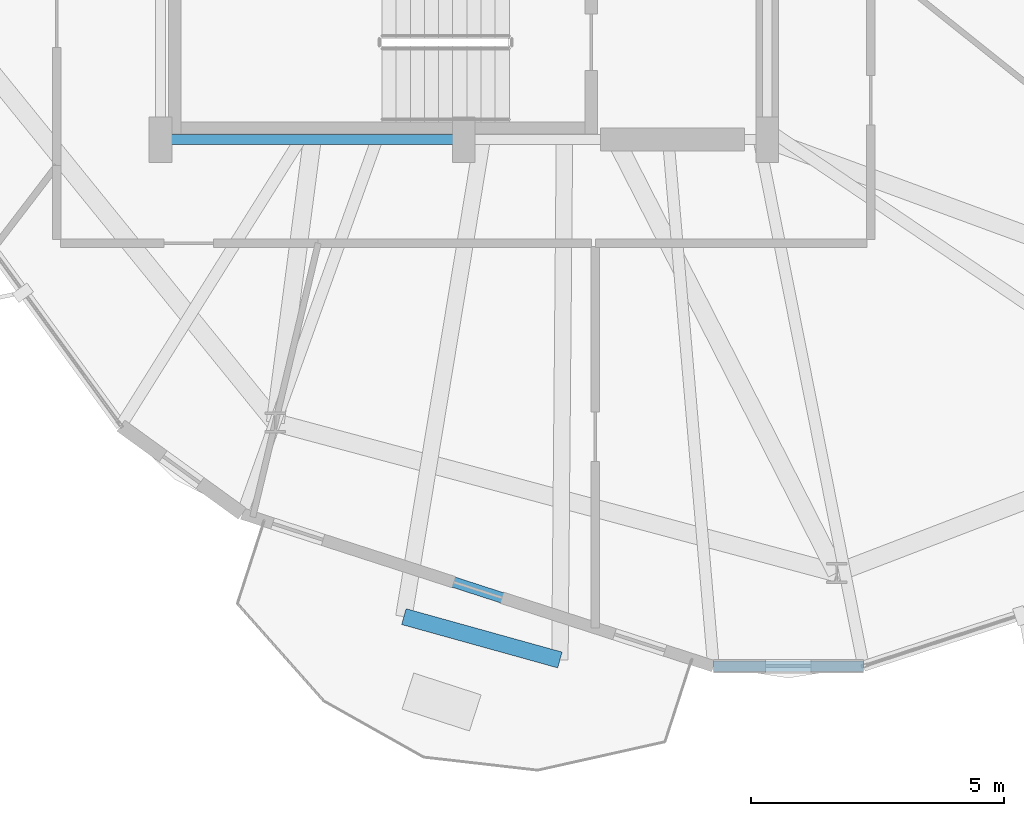
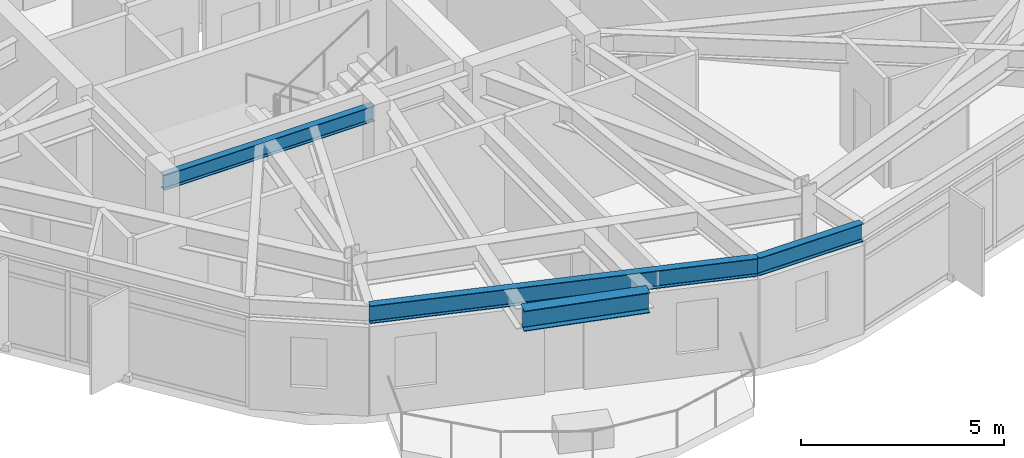
# One storey, part 4 of 31: 4 beams.
"""IFC4 building model written with IfcOpenShell, lengths in metres."""

from ifc_helpers import new_model, si_unit, direction, frame, origin, origin_2d, place, context, subcontext, project, spatial, i_section, extrude, material, material_profile, profile_set, type_object, element, save


model = new_model("IFC4")

# Units and contexts
model_context = context("Model", 3, precision=1e-05, world=origin(), true_north=direction((0.0, 1.0)))
body_context = subcontext(model_context, "Body", "Model", "MODEL_VIEW")
ifc_project = project(units=[si_unit("LENGTHUNIT", "METRE"), si_unit("AREAUNIT", "SQUARE_METRE"), si_unit("VOLUMEUNIT", "CUBIC_METRE"), si_unit("PLANEANGLEUNIT", "RADIAN"), si_unit("MASSUNIT", "GRAM", prefix="KILO")], contexts=[model_context])

# Site, building, storey
site_placement = place(None, origin())
site = spatial("IfcSite", under=ifc_project, at=site_placement, CompositionType="ELEMENT")
building_placement = place(site_placement, origin())
building = spatial("IfcBuilding", under=site, at=building_placement, Name="Soratama Intermodal Tower", CompositionType="ELEMENT")
storey_placement = place(building_placement, frame((0.0, 0.0, 230.199951171875)))
storey = spatial("IfcBuildingStorey", under=building, at=storey_placement, Name="L58", CompositionType="ELEMENT", Elevation=230.199951171875)

# Beams
ifc_material_1 = material(Name="Structural steel ASTM A992 Grade 50", Category="steel")
ifc_material_profile_1 = material_profile(ifc_material_1, i_section(OverallWidth=0.324951171875, OverallDepth=0.615966796875, WebThickness=0.013916015625, FlangeThickness=0.021484375, FilletRadius=0.013916015625, at=origin_2d()), Name="W24X117")
ifc_profile_set_1 = profile_set([ifc_material_profile_1], Name="Structural steel ASTM A992 Grade 50")
beam_type_1 = type_object("IfcBeamType", Name="BM-CANT-W24X117", PredefinedType="BEAM", material=ifc_profile_set_1)
beam_1_placement = place(storey_placement, frame((37.4130859375, 5.56201171875, 2.991943359375), z_axis=(0.963482966956, -0.267769625584, 0.0), x_axis=(0.267769625584, 0.963482966956, 0.0)))
element("IfcBeam", 1, at=beam_1_placement, inside=storey, type_object=beam_type_1, Name="BM-L58-CBHDR-3", PredefinedType="BEAM", context=body_context, shape_type="SweptSolid", body=[
    extrude(i_section(OverallWidth=0.324951171875, OverallDepth=0.615966796875, WebThickness=0.013916015625, FlangeThickness=0.021484375, FilletRadius=0.013916015625, at=origin_2d()), origin(), (0.0, 0.0, 1.0), 3.203857421875),
])
ifc_material_2 = material(Name="Structural steel ASTM A992 Grade 50", Category="steel")
ifc_material_profile_2 = material_profile(ifc_material_2, i_section(OverallWidth=0.19091796875, OverallDepth=0.4599609375, WebThickness=0.010009765625, FlangeThickness=0.01611328125, FilletRadius=0.010986328125, at=origin_2d()), Name="W18X55")
ifc_profile_set_2 = profile_set([ifc_material_profile_2], Name="Structural steel ASTM A992 Grade 50")
beam_type_2 = type_object("IfcBeamType", Name="BM-FLR-W18X55", PredefinedType="BEAM", material=ifc_profile_set_2)
beam_2_placement = place(storey_placement, frame((32.60009765625, 15.0, 3.070068359375), z_axis=(1.0, 0.0, 0.0), x_axis=(0.0, 1.0, 0.0)))
element("IfcBeam", 2, at=beam_2_placement, inside=storey, type_object=beam_type_2, Name="BM-L58-CRING-01", PredefinedType="BEAM", context=body_context, shape_type="SweptSolid", body=[
    extrude(i_section(OverallWidth=0.19091796875, OverallDepth=0.4599609375, WebThickness=0.010009765625, FlangeThickness=0.01611328125, FilletRadius=0.010986328125, at=origin_2d()), origin(), (0.0, 0.0, 1.0), 6.0),
])
ifc_material_3 = material(Name="Structural steel ASTM A992 Grade 50", Category="steel")
ifc_material_profile_3 = material_profile(ifc_material_3, i_section(OverallWidth=0.2099609375, OverallDepth=0.537109375, WebThickness=0.010986328125, FlangeThickness=0.017333984375, FilletRadius=0.012939453125, at=origin_2d()), Name="W21X68")
ifc_profile_set_3 = profile_set([ifc_material_profile_3], Name="Structural steel ASTM A992 Grade 50")
beam_type_3 = type_object("IfcBeamType", Name="BM-SPN-W21X68", PredefinedType="SPANDREL", material=ifc_profile_set_3)
beam_3_placement = place(storey_placement, frame((34.217041015625, 7.597900390625, 3.031494140625), z_axis=(0.951379028798, -0.308022634825, 0.0), x_axis=(0.308022634825, 0.951379028798, 0.0)))
element("IfcBeam", 3, at=beam_3_placement, inside=storey, type_object=beam_type_3, Name="BS-L58-F06", PredefinedType="SPANDREL", context=body_context, shape_type="SweptSolid", body=[
    extrude(i_section(OverallWidth=0.2099609375, OverallDepth=0.537109375, WebThickness=0.010986328125, FlangeThickness=0.017333984375, FilletRadius=0.012939453125, at=origin_2d()), origin(), (0.0, 0.0, 1.0), 9.79736328125),
])
beam_4_placement = place(storey_placement, frame((43.5380859375, 4.580078125, 3.031494140625), z_axis=(0.99999951243, 0.000987491289, 0.0), x_axis=(-0.000987491289, 0.99999951243, 0.0)))
element("IfcBeam", 4, at=beam_4_placement, inside=storey, type_object=beam_type_3, Name="BS-L58-CRN06", PredefinedType="SPANDREL", context=body_context, shape_type="SweptSolid", body=[
    extrude(i_section(OverallWidth=0.2099609375, OverallDepth=0.537109375, WebThickness=0.010986328125, FlangeThickness=0.017333984375, FilletRadius=0.012939453125, at=origin_2d()), origin(), (0.0, 0.0, 1.0), 2.966796875),
])

save(model, "model.ifc")
